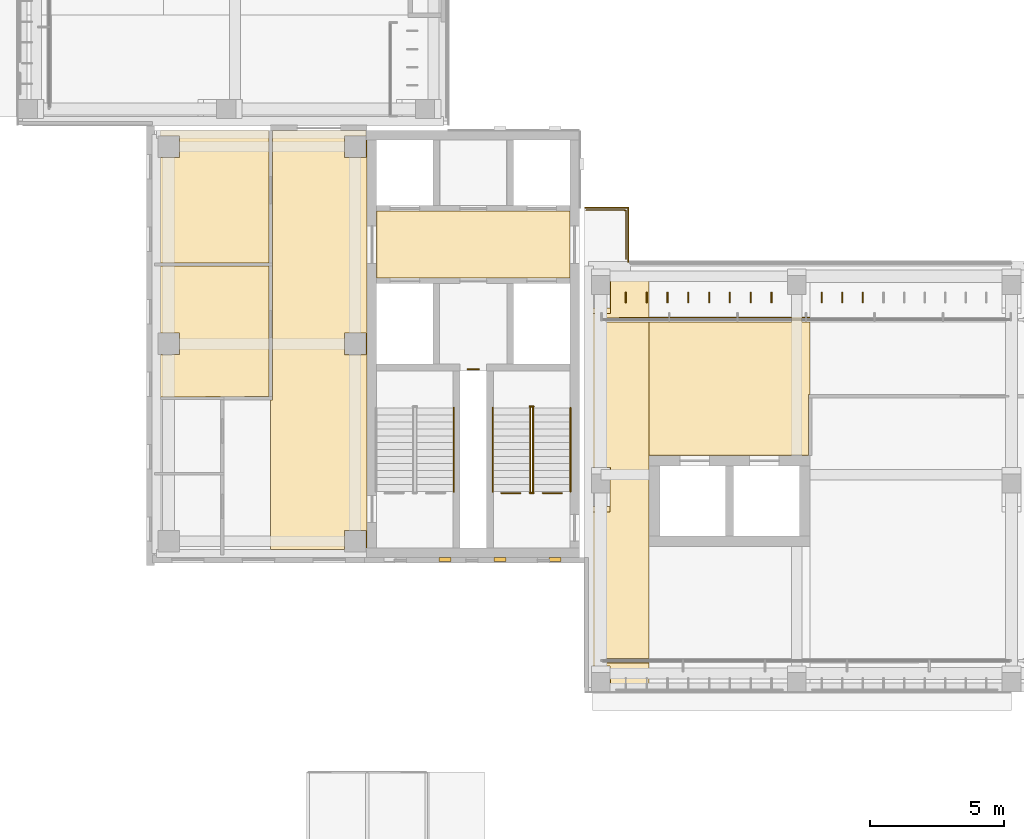
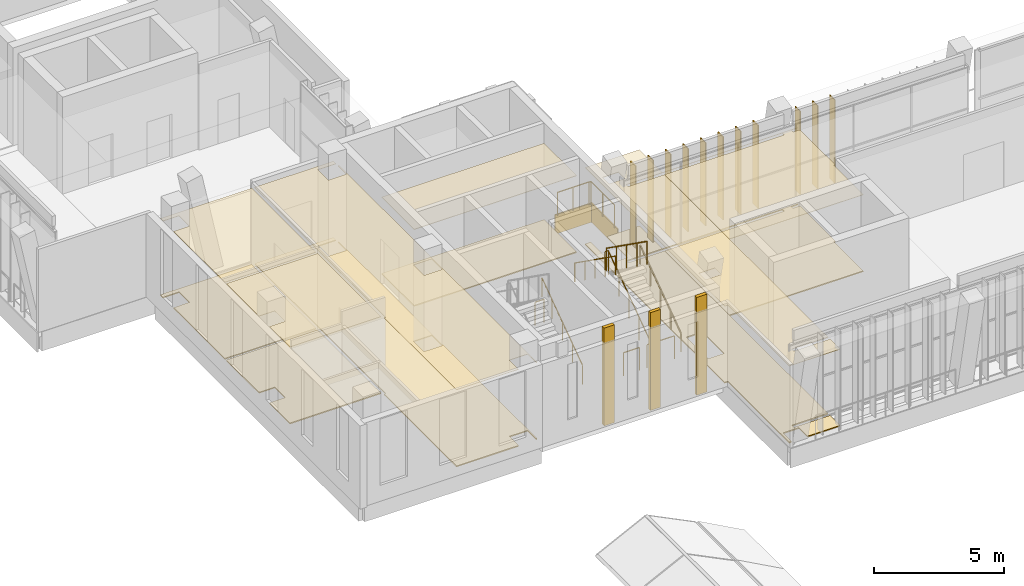
# One storey, part 54 of 73: 17 coverings, 11 railings, 11 shading devices.
"""IFC4 building model written with IfcOpenShell, lengths in metres."""

from ifc_helpers import new_model, si_unit, direction, frame, frame_2d, origin, origin_2d, place, context, subcontext, project, spatial, polyline, rectangle, circle, outline, extrude, material, layer, layer_set, type_object, element, save


model = new_model("IFC4")

# Units and contexts
model_context = context("Model", 3, precision=1e-05, world=origin(), true_north=direction((0.0, 1.0)))
body_context = subcontext(model_context, "Body", "Model", "MODEL_VIEW")
ifc_project = project(units=[si_unit("LENGTHUNIT", "METRE"), si_unit("AREAUNIT", "SQUARE_METRE"), si_unit("VOLUMEUNIT", "CUBIC_METRE"), si_unit("PLANEANGLEUNIT", "RADIAN"), si_unit("MASSUNIT", "GRAM", prefix="KILO")], contexts=[model_context])

# Site, building, storey
site_placement = place(None, origin())
site = spatial("IfcSite", under=ifc_project, at=site_placement, CompositionType="ELEMENT")
building_placement = place(site_placement, origin())
building = spatial("IfcBuilding", under=site, at=building_placement, Name="Lantern Court Media Centre", CompositionType="ELEMENT")
storey_placement = place(building_placement, frame((0.0, 0.0, 24.0)))
storey = spatial("IfcBuildingStorey", under=building, at=storey_placement, Name="L05", CompositionType="ELEMENT", Elevation=24.0)

# Coverings
ifc_material_1 = material(Name="Carpet")
ifc_layer_1 = layer(ifc_material_1, 0.050048828125)
ifc_layer_set_1 = layer_set([ifc_layer_1], Name="Carpet")
covering_type_1 = type_object("IfcCoveringType", Name="Carpet floor finish", PredefinedType="FLOORING", material=ifc_layer_set_1)
covering_1_placement = place(storey_placement, origin())
element("IfcCovering", 1, at=covering_1_placement, inside=storey, type_object=covering_type_1, Name="Community Room 04 floor finish", PredefinedType="FLOORING", context=body_context, shape_type="SweptSolid", body=[
    extrude(outline(polyline([(8.300048828125, 58.85693359375), (12.33251953125, 58.85693359375), (12.33251953125, 53.990478515625), (8.300048828125, 53.97802734375), (8.300048828125, 55.544921875), (9.0048828125, 55.550048828125), (9.00390625, 56.353271484375), (8.300048828125, 56.35498046875), (8.300048828125, 58.85693359375)])), origin(), (0.0, 0.0, 1.0), 0.050048828125),
])
covering_2_placement = place(storey_placement, origin())
element("IfcCovering", 2, at=covering_2_placement, inside=storey, type_object=covering_type_1, Name="Community Room 05 floor finish", PredefinedType="FLOORING", context=body_context, shape_type="SweptSolid", body=[
    extrude(outline(polyline([(8.300048828125, 63.89990234375), (12.33251953125, 63.89990234375), (12.33251953125, 58.967041015625), (8.300048828125, 58.967041015625), (8.300048828125, 62.89501953125), (9.0048828125, 62.89990234375), (9.004150390625, 63.702880859375), (8.300048828125, 63.705078125), (8.300048828125, 63.89990234375)])), origin(), (0.0, 0.0, 1.0), 0.050048828125),
])

# Railings
ifc_material_2 = material(Name="Powder-coated steel", Category="steel")
railing_type_1 = type_object("IfcRailingType", Name="Floor edge guard 1100", PredefinedType="GUARDRAIL", material=ifc_material_2)
for number, where, name in (
    (3, (23.25, 50.390380859375, 0.0), "L05 opening guard 124"),
    (4, (21.70361328125, 50.390380859375, 0.0), "L05 opening guard 125"),
):
    element("IfcRailing", number, at=place(storey_placement, frame(where)), inside=storey, type_object=railing_type_1, Name=name, PredefinedType="GUARDRAIL", context=body_context, shape_type="SweptSolid", body=[
        extrude(circle(Radius=0.02392578125, at=origin_2d()), frame((0.0, 0.0, 1.076171875), z_axis=(-1.0, 0.0, 0.0), x_axis=(0.0, -1.0, 0.0)), (0.0, 0.0, 1.0), 0.70361328125),
        extrude(circle(Radius=0.02099609375, at=origin_2d()), origin(), (0.0, 0.0, 1.0), 1.052001953125),
        extrude(circle(Radius=0.02099609375, at=origin_2d()), frame((-0.70361328125, 0.0, 0.0)), (0.0, 0.0, 1.0), 1.052001953125),
    ])
railing_1_placement = place(storey_placement, frame((20.14990234375, 55.010009765625, 0.0)))
element("IfcRailing", 5, at=railing_1_placement, inside=storey, type_object=railing_type_1, Name="L05 opening guard 126", PredefinedType="GUARDRAIL", context=body_context, shape_type="SweptSolid", body=[
    extrude(circle(Radius=0.02392578125, at=origin_2d()), frame((0.0, 0.0, 1.076171875), z_axis=(-1.0, 0.0, 0.0), x_axis=(0.0, -1.0, 0.0)), (0.0, 0.0, 1.0), 0.39990234375),
    extrude(circle(Radius=0.02099609375, at=origin_2d()), origin(), (0.0, 0.0, 1.0), 1.052001953125),
    extrude(circle(Radius=0.02099609375, at=origin_2d()), frame((-0.39990234375, 0.0, 0.0)), (0.0, 0.0, 1.0), 1.052001953125),
])
railing_2_placement = place(storey_placement, frame((24.159912109375, 60.93994140625, 0.0)))
element("IfcRailing", 6, at=railing_2_placement, inside=storey, type_object=railing_type_1, Name="L05 edge guard 166", PredefinedType="GUARDRAIL", context=body_context, shape_type="SweptSolid", body=[
    extrude(circle(Radius=0.02392578125, at=origin_2d()), frame((0.0, 0.0, 1.076171875), z_axis=(1.0, 0.0, 0.0), x_axis=(0.0, 1.0, 0.0)), (0.0, 0.0, 1.0), 1.400146484375),
    extrude(circle(Radius=0.02392578125, at=origin_2d()), frame((1.400146484375, 0.0, 1.076171875), z_axis=(0.96996776307, -0.243233506336, 0.0), x_axis=(0.243233506336, 0.96996776307, 0.0)), (0.0, 0.0, 1.0), 0.082275390625),
    extrude(circle(Radius=0.02392578125, at=origin_2d()), frame((1.47998046875, -0.02001953125, 1.076171875), z_axis=(0.0, -1.0, 0.0), x_axis=(1.0, 0.0, 0.0)), (0.0, 0.0, 1.0), 1.798828125),
    extrude(circle(Radius=0.02099609375, at=origin_2d()), origin(), (0.0, 0.0, 1.0), 1.052001953125),
    extrude(circle(Radius=0.02099609375, at=origin_2d()), frame((0.7001953125, 0.0, 0.0)), (0.0, 0.0, 1.0), 1.052001953125),
    extrude(circle(Radius=0.02099609375, at=origin_2d()), frame((1.400146484375, 0.0, 0.0)), (0.0, 0.0, 1.0), 1.052001953125),
    extrude(circle(Radius=0.02099609375, at=origin_2d()), frame((1.47998046875, -0.02001953125, 0.0)), (0.0, 0.0, 1.0), 1.052001953125),
    extrude(circle(Radius=0.02099609375, at=origin_2d()), frame((1.47998046875, -0.91943359375, 0.0)), (0.0, 0.0, 1.0), 1.052001953125),
    extrude(circle(Radius=0.02099609375, at=origin_2d()), frame((1.47998046875, -1.81884765625, 0.0)), (0.0, 0.0, 1.0), 1.052001953125),
])

# Coverings
ifc_material_3 = material(Name="White glass-fibre reinforced cement cladding", Category="concrete")
ifc_layer_2 = layer(ifc_material_3, 0.050048828125)
ifc_layer_set_2 = layer_set([ifc_layer_2], Name="White glass-fibre reinforced cement cladding")
covering_type_2 = type_object("IfcCoveringType", Name="Floor-edge band 50", PredefinedType="CLADDING", material=ifc_layer_set_2)
covering_3_placement = place(storey_placement, frame((24.10009765625, 61.02490234375, -0.89990234375), z_axis=(0.0, 0.0, 1.0), x_axis=(1.0, 0.0, 0.0)))
element("IfcCovering", 7, at=covering_3_placement, inside=storey, type_object=covering_type_2, Name="Floor-edge band S inner L05", PredefinedType="CLADDING", context=body_context, shape_type="SweptSolid", body=[
    extrude(rectangle(XDim=1.599853515625, YDim=0.050048828125, at=frame_2d((0.7998046875, 0.0))), origin(), (0.0, 0.0, 1.0), 0.89990234375),
])
covering_4_placement = place(storey_placement, frame((25.72509765625, 59.0, -0.89990234375), z_axis=(0.0, 0.0, 1.0), x_axis=(0.0, 1.0, 0.0)))
element("IfcCovering", 8, at=covering_4_placement, inside=storey, type_object=covering_type_2, Name="Floor-edge band S inner L05", PredefinedType="CLADDING", context=body_context, shape_type="SweptSolid", body=[
    extrude(rectangle(XDim=2.050048828125, YDim=0.050048828125, at=frame_2d((1.02490234375, 0.0))), origin(), (0.0, 0.0, 1.0), 0.89990234375),
])
ifc_material_4 = material(Name="Honed limestone cladding", Category="masonry")
ifc_layer_3 = layer(ifc_material_4, 0.14990234375)
ifc_layer_set_3 = layer_set([ifc_layer_3], Name="Honed limestone cladding")
covering_type_3 = type_object("IfcCoveringType", Name="Limestone pilaster cladding 150", PredefinedType="CLADDING", material=ifc_layer_set_3)
for number, where, z_axis, x_axis, name in (
    (9, (18.675048828125, 47.925048828125, 0.0), (0.0, 0.0, 1.0), (1.0, 0.0, 0.0), "Limestone pilaster rib"),
    (10, (20.72509765625, 47.925048828125, 0.0), (0.0, 0.0, 1.0), (1.0, 0.0, 0.0), "Limestone pilaster rib"),
):
    element("IfcCovering", number, at=place(storey_placement, frame(where, z_axis=z_axis, x_axis=x_axis)), inside=storey, type_object=covering_type_3, Name=name, PredefinedType="CLADDING", context=body_context, shape_type="SweptSolid", body=[
        extrude(rectangle(XDim=0.449951171875, YDim=0.14990234375, at=frame_2d((0.22509765625, 0.0))), origin(), (0.0, 0.0, 1.0), 4.580078125),
    ])
covering_5_placement = place(storey_placement, frame((22.77490234375, 47.925048828125, 0.0), z_axis=(0.0, 0.0, 1.0), x_axis=(1.0, 0.0, 0.0)))
element("IfcCovering", 11, at=covering_5_placement, inside=storey, type_object=covering_type_3, Name="Limestone pilaster rib", PredefinedType="CLADDING", context=body_context, shape_type="SweptSolid", body=[
    extrude(rectangle(XDim=0.4501953125, YDim=0.14990234375, at=frame_2d((0.22509765625, 0.0))), origin(), (0.0, 0.0, 1.0), 4.580078125),
])

# Railings
railing_type_2 = type_object("IfcRailingType", Name="Stair guard 1100", PredefinedType="GUARDRAIL", material=ifc_material_2)
railing_3_placement = place(storey_placement, frame((22.176025390625, 50.449951171875, 0.1845703125)))
element("IfcRailing", 12, at=railing_3_placement, inside=storey, type_object=railing_type_2, Name="L05 ST-SWB stair guard 1", PredefinedType="GUARDRAIL", context=body_context, shape_type="SweptSolid", body=[
    extrude(circle(Radius=0.02392578125, at=origin_2d()), frame((0.0, 0.0, 1.076171875), z_axis=(0.0, 0.815376961211, 0.578930402662), x_axis=(-1.0, 0.0, 0.0)), (0.0, 0.0, 1.0), 3.82666015625),
    extrude(circle(Radius=0.02099609375, at=origin_2d()), origin(), (0.0, 0.0, 1.0), 1.052001953125),
    extrude(circle(Radius=0.02099609375, at=origin_2d()), frame((0.0, 0.780029296875, 0.5537109375)), (0.0, 0.0, 1.0), 1.052001953125),
    extrude(circle(Radius=0.02099609375, at=origin_2d()), frame((0.0, 1.56005859375, 1.107666015625)), (0.0, 0.0, 1.0), 1.052001953125),
    extrude(circle(Radius=0.02099609375, at=origin_2d()), frame((0.0, 2.340087890625, 1.66162109375)), (0.0, 0.0, 1.0), 1.052001953125),
    extrude(circle(Radius=0.02099609375, at=origin_2d()), frame((0.0, 3.1201171875, 2.21533203125)), (0.0, 0.0, 1.0), 1.052001953125),
])
railing_4_placement = place(storey_placement, frame((22.199951171875, 53.6201171875, 2.39990234375)))
element("IfcRailing", 13, at=railing_4_placement, inside=storey, type_object=railing_type_2, Name="L05 ST-SWB stair guard 2", PredefinedType="GUARDRAIL", context=body_context, shape_type="SweptSolid", body=[
    extrude(circle(Radius=0.02392578125, at=origin_2d()), frame((0.0, 0.0, 1.076171875), z_axis=(-1.0, 0.0, 0.0), x_axis=(0.0, -1.0, 0.0)), (0.0, 0.0, 1.0), 0.14990234375),
    extrude(circle(Radius=0.02099609375, at=origin_2d()), origin(), (0.0, 0.0, 1.0), 1.052001953125),
    extrude(circle(Radius=0.02099609375, at=origin_2d()), frame((-0.14990234375, 0.0, 0.0)), (0.0, 0.0, 1.0), 1.052001953125),
])
railing_5_placement = place(storey_placement, frame((22.073974609375, 53.570068359375, 2.584716796875)))
element("IfcRailing", 14, at=railing_5_placement, inside=storey, type_object=railing_type_2, Name="L05 ST-SWB stair guard 3", PredefinedType="GUARDRAIL", context=body_context, shape_type="SweptSolid", body=[
    extrude(circle(Radius=0.02392578125, at=origin_2d()), frame((0.0, 0.0, 1.076171875), z_axis=(0.0, -0.815376961211, 0.578930402662), x_axis=(1.0, 0.0, 0.0)), (0.0, 0.0, 1.0), 3.82666015625),
    extrude(circle(Radius=0.02099609375, at=origin_2d()), origin(), (0.0, 0.0, 1.0), 1.052001953125),
    extrude(circle(Radius=0.02099609375, at=origin_2d()), frame((0.0, -0.780029296875, 0.5537109375)), (0.0, 0.0, 1.0), 1.052001953125),
    extrude(circle(Radius=0.02099609375, at=origin_2d()), frame((0.0, -1.56005859375, 1.107666015625)), (0.0, 0.0, 1.0), 1.052001953125),
    extrude(circle(Radius=0.02099609375, at=origin_2d()), frame((0.0, -2.340087890625, 1.66162109375)), (0.0, 0.0, 1.0), 1.052001953125),
    extrude(circle(Radius=0.02099609375, at=origin_2d()), frame((0.0, -3.1201171875, 2.21533203125)), (0.0, 0.0, 1.0), 1.052001953125),
])
railing_6_placement = place(storey_placement, frame((22.199951171875, 50.39990234375, 0.0)))
element("IfcRailing", 15, at=railing_6_placement, inside=storey, type_object=railing_type_2, Name="L05 ST-SWB stair guard 4", PredefinedType="GUARDRAIL", context=body_context, shape_type="SweptSolid", body=[
    extrude(circle(Radius=0.02392578125, at=origin_2d()), frame((0.0, 0.0, 1.076171875), z_axis=(-1.0, 0.0, 0.0), x_axis=(0.0, -1.0, 0.0)), (0.0, 0.0, 1.0), 0.14990234375),
    extrude(circle(Radius=0.02099609375, at=origin_2d()), origin(), (0.0, 0.0, 1.0), 1.052001953125),
    extrude(circle(Radius=0.02099609375, at=origin_2d()), frame((-0.14990234375, 0.0, 0.0)), (0.0, 0.0, 1.0), 1.052001953125),
])
railing_type_3 = type_object("IfcRailingType", Name="Stair handrail 900", PredefinedType="HANDRAIL", material=ifc_material_2)
for number, where, name in (
    (16, (19.22412109375, 50.449951171875, 0.1845703125), "L05 ST-SWA stair handrail 1"),
    (17, (23.573974609375, 50.449951171875, 0.1845703125), "L05 ST-SWB stair handrail 1"),
):
    element("IfcRailing", number, at=place(storey_placement, frame(where)), inside=storey, type_object=railing_type_3, Name=name, PredefinedType="HANDRAIL", context=body_context, shape_type="SweptSolid", body=[
        extrude(circle(Radius=0.02392578125, at=origin_2d()), frame((0.0, 0.0, 0.8759765625), z_axis=(0.0, 0.815376961211, 0.578930402662), x_axis=(-1.0, 0.0, 0.0)), (0.0, 0.0, 1.0), 3.82666015625),
        extrude(circle(Radius=0.02099609375, at=origin_2d()), origin(), (0.0, 0.0, 1.0), 0.851806640625),
        extrude(circle(Radius=0.02099609375, at=origin_2d()), frame((0.0, 0.780029296875, 0.5537109375)), (0.0, 0.0, 1.0), 0.851806640625),
        extrude(circle(Radius=0.02099609375, at=origin_2d()), frame((0.0, 1.56005859375, 1.107666015625)), (0.0, 0.0, 1.0), 0.851806640625),
        extrude(circle(Radius=0.02099609375, at=origin_2d()), frame((0.0, 2.340087890625, 1.66162109375)), (0.0, 0.0, 1.0), 0.851806640625),
        extrude(circle(Radius=0.02099609375, at=origin_2d()), frame((0.0, 3.1201171875, 2.21533203125)), (0.0, 0.0, 1.0), 0.851806640625),
    ])
railing_7_placement = place(storey_placement, frame((20.676025390625, 53.570068359375, 2.584716796875)))
element("IfcRailing", 18, at=railing_7_placement, inside=storey, type_object=railing_type_3, Name="L05 ST-SWB stair handrail 2", PredefinedType="HANDRAIL", context=body_context, shape_type="SweptSolid", body=[
    extrude(circle(Radius=0.02392578125, at=origin_2d()), frame((0.0, 0.0, 0.8759765625), z_axis=(0.0, -0.815376961211, 0.578930402662), x_axis=(1.0, 0.0, 0.0)), (0.0, 0.0, 1.0), 3.82666015625),
    extrude(circle(Radius=0.02099609375, at=origin_2d()), origin(), (0.0, 0.0, 1.0), 0.851806640625),
    extrude(circle(Radius=0.02099609375, at=origin_2d()), frame((0.0, -0.780029296875, 0.5537109375)), (0.0, 0.0, 1.0), 0.851806640625),
    extrude(circle(Radius=0.02099609375, at=origin_2d()), frame((0.0, -1.56005859375, 1.107666015625)), (0.0, 0.0, 1.0), 0.851806640625),
    extrude(circle(Radius=0.02099609375, at=origin_2d()), frame((0.0, -2.340087890625, 1.66162109375)), (0.0, 0.0, 1.0), 0.851806640625),
    extrude(circle(Radius=0.02099609375, at=origin_2d()), frame((0.0, -3.1201171875, 2.21533203125)), (0.0, 0.0, 1.0), 0.851806640625),
])

# Coverings
ifc_material_5 = material(Name="Mineral fibre ceiling tile")
ifc_layer_4 = layer(ifc_material_5, 0.02001953125)
ifc_layer_set_4 = layer_set([ifc_layer_4], Name="Mineral fibre ceiling tile")
covering_type_4 = type_object("IfcCoveringType", Name="Suspended ceiling tile", PredefinedType="CEILING", material=ifc_layer_set_4)
covering_6_placement = place(storey_placement, frame((0.0, 0.0, 3.60009765625)))
element("IfcCovering", 19, at=covering_6_placement, inside=storey, type_object=covering_type_4, Name="End Lobby ceiling", PredefinedType="CEILING", context=body_context, shape_type="SweptSolid", body=[
    extrude(outline(polyline([(26.5, 43.300048828125), (24.240478515625, 43.300048828125), (24.240478515625, 48.0), (24.10009765625, 48.00048828125), (24.10009765625, 58.699951171875), (26.5, 58.699951171875), (26.5, 56.925537109375), (24.8994140625, 56.925048828125), (24.89990234375, 56.7744140625), (26.5, 56.7744140625), (26.5, 44.2255859375), (24.8994140625, 44.22509765625), (24.89990234375, 44.074462890625), (26.5, 44.074462890625), (26.5, 43.300048828125)]), holes=[polyline([(25.050537109375, 50.395751953125), (24.349609375, 50.396240234375), (24.349609375, 49.897705078125), (25.05029296875, 49.8974609375), (25.050537109375, 50.395751953125)]), polyline([(25.050048828125, 57.29736328125), (25.05029296875, 57.796142578125), (24.349609375, 57.796142578125), (24.349609375, 57.29736328125), (25.050048828125, 57.29736328125)])]), origin(), (0.0, 0.0, 1.0), 0.02001953125),
])
covering_7_placement = place(storey_placement, frame((0.0, 0.0, 3.60009765625)))
element("IfcCovering", 20, at=covering_7_placement, inside=storey, type_object=covering_type_4, Name="Lift Lobby ceiling", PredefinedType="CEILING", context=body_context, shape_type="SweptSolid", body=[
    extrude(outline(polyline([(32.5, 54.06298828125), (32.43701171875, 54.0625), (32.43701171875, 51.800537109375), (26.5, 51.800537109375), (26.5, 56.7744140625), (31.800537109375, 56.77490234375), (31.800048828125, 56.925537109375), (26.5, 56.925537109375), (26.5, 56.949951171875), (32.5, 56.949951171875), (32.5, 56.925537109375), (32.199462890625, 56.925048828125), (32.19970703125, 56.774658203125), (32.5, 56.7744140625), (32.5, 54.06298828125)])), origin(), (0.0, 0.0, 1.0), 0.02001953125),
])
covering_8_placement = place(storey_placement, frame((0.0, 0.0, 3.60009765625)))
element("IfcCovering", 21, at=covering_8_placement, inside=storey, type_object=covering_type_4, Name="Lift Lobby ceiling", PredefinedType="CEILING", context=body_context, shape_type="SweptSolid", body=[
    extrude(outline(polyline([(16.3505859375, 60.8994140625), (23.549560546875, 60.8994140625), (23.549560546875, 58.400390625), (16.3505859375, 58.400390625), (16.3505859375, 60.8994140625)])), origin(), (0.0, 0.0, 1.0), 0.02001953125),
])
covering_9_placement = place(storey_placement, frame((0.0, 0.0, 3.60009765625)))
element("IfcCovering", 22, at=covering_9_placement, inside=storey, type_object=covering_type_4, Name="Corridor ceiling", PredefinedType="CEILING", context=body_context, shape_type="SweptSolid", body=[
    extrude(outline(polyline([(12.39990234375, 48.300048828125), (12.39990234375, 53.860107421875), (12.462890625, 53.860595703125), (12.462890625, 63.8994140625), (15.949462890625, 63.8994140625), (15.949462890625, 63.700439453125), (15.149658203125, 63.700439453125), (15.1494140625, 62.89990234375), (15.950439453125, 62.899658203125), (15.950439453125, 63.549560546875), (15.99951171875, 63.549560546875), (15.99951171875, 48.3505859375), (15.950439453125, 48.3505859375), (15.950439453125, 49.00048828125), (15.14990234375, 49.00048828125), (15.1494140625, 48.300048828125), (12.39990234375, 48.300048828125)]), holes=[polyline([(15.950439453125, 56.35009765625), (15.149658203125, 56.350341796875), (15.149658203125, 55.549560546875), (15.950439453125, 55.549560546875), (15.950439453125, 56.35009765625)])]), origin(), (0.0, 0.0, 1.0), 0.02001953125),
])
covering_10_placement = place(storey_placement, frame((0.0, 0.0, 3.60009765625)))
element("IfcCovering", 23, at=covering_10_placement, inside=storey, type_object=covering_type_4, Name="Community Room 04 ceiling", PredefinedType="CEILING", context=body_context, shape_type="SweptSolid", body=[
    extrude(outline(polyline([(8.300048828125, 58.861572265625), (12.3369140625, 58.861572265625), (12.3369140625, 53.986083984375), (8.300048828125, 53.973388671875), (8.300048828125, 55.549560546875), (9.00048828125, 55.550048828125), (9.00048828125, 56.350341796875), (8.300048828125, 56.3505859375), (8.300048828125, 58.861572265625)])), origin(), (0.0, 0.0, 1.0), 0.02001953125),
])
covering_11_placement = place(storey_placement, frame((0.0, 0.0, 3.60009765625)))
element("IfcCovering", 24, at=covering_11_placement, inside=storey, type_object=covering_type_4, Name="Community Room 05 ceiling", PredefinedType="CEILING", context=body_context, shape_type="SweptSolid", body=[
    extrude(outline(polyline([(8.300048828125, 63.89990234375), (12.3369140625, 63.89990234375), (12.3369140625, 58.96240234375), (8.300048828125, 58.96240234375), (8.300048828125, 62.8994140625), (9.00048828125, 62.89990234375), (9.00048828125, 63.7001953125), (8.300048828125, 63.700439453125), (8.300048828125, 63.89990234375)])), origin(), (0.0, 0.0, 1.0), 0.02001953125),
])
ifc_material_6 = material(Name="Terrazzo")
ifc_layer_5 = layer(ifc_material_6, 0.050048828125)
ifc_layer_set_5 = layer_set([ifc_layer_5], Name="Terrazzo")
covering_type_5 = type_object("IfcCoveringType", Name="Terrazzo floor finish", PredefinedType="FLOORING", material=ifc_layer_set_5)
covering_12_placement = place(storey_placement, origin())
element("IfcCovering", 25, at=covering_12_placement, inside=storey, type_object=covering_type_5, Name="End Lobby floor finish", PredefinedType="FLOORING", context=body_context, shape_type="SweptSolid", body=[
    extrude(outline(polyline([(26.5, 43.300048828125), (25.054931640625, 43.300048828125), (25.050048828125, 43.955078125), (24.346923828125, 43.953857421875), (24.344970703125, 43.300048828125), (24.2451171875, 43.300048828125), (24.2451171875, 48.0), (24.10009765625, 48.0048828125), (24.10009765625, 58.699951171875), (24.344970703125, 58.699951171875), (24.35009765625, 57.0908203125), (25.0546875, 57.093994140625), (25.054931640625, 58.699951171875), (26.5, 58.699951171875), (26.5, 56.929931640625), (24.89501953125, 56.925048828125), (24.8994140625, 56.77001953125), (26.5, 56.77001953125), (26.5, 44.22998046875), (24.89501953125, 44.22509765625), (24.8994140625, 44.070068359375), (26.5, 44.070068359375), (26.5, 43.300048828125)]), holes=[polyline([(25.050048828125, 49.69091796875), (25.0546875, 51.351806640625), (24.34814453125, 51.354736328125), (24.345458984375, 49.69384765625), (25.050048828125, 49.69091796875)])]), origin(), (0.0, 0.0, 1.0), 0.050048828125),
])
covering_13_placement = place(storey_placement, origin())
element("IfcCovering", 26, at=covering_13_placement, inside=storey, type_object=covering_type_5, Name="Lift Lobby floor finish", PredefinedType="FLOORING", context=body_context, shape_type="SweptSolid", body=[
    extrude(outline(polyline([(32.5, 54.0673828125), (32.4326171875, 54.0625), (32.4326171875, 51.804931640625), (26.5, 51.804931640625), (26.5, 56.77001953125), (31.804931640625, 56.77490234375), (31.800048828125, 56.929931640625), (26.5, 56.929931640625), (26.5, 56.949951171875), (32.5, 56.949951171875), (32.5, 56.929931640625), (32.195068359375, 56.925048828125), (32.19775390625, 56.7705078125), (32.5, 56.77001953125), (32.5, 54.0673828125)])), origin(), (0.0, 0.0, 1.0), 0.050048828125),
])
covering_14_placement = place(storey_placement, origin())
element("IfcCovering", 27, at=covering_14_placement, inside=storey, type_object=covering_type_5, Name="Lift Lobby floor finish", PredefinedType="FLOORING", context=body_context, shape_type="SweptSolid", body=[
    extrude(outline(polyline([(16.35498046875, 60.89501953125), (23.544921875, 60.89501953125), (23.544921875, 58.405029296875), (16.35498046875, 58.405029296875), (16.35498046875, 60.89501953125)])), origin(), (0.0, 0.0, 1.0), 0.050048828125),
])
covering_15_placement = place(storey_placement, origin())
element("IfcCovering", 28, at=covering_15_placement, inside=storey, type_object=covering_type_5, Name="Corridor floor finish", PredefinedType="FLOORING", context=body_context, shape_type="SweptSolid", body=[
    extrude(outline(polyline([(12.39990234375, 48.300048828125), (12.39990234375, 53.85546875), (12.467529296875, 53.860595703125), (12.467529296875, 63.89501953125), (15.945068359375, 63.89501953125), (15.945068359375, 63.705078125), (15.146240234375, 63.703125), (15.14501953125, 62.89990234375), (15.953125, 62.896240234375), (15.955078125, 63.544921875), (15.9951171875, 63.544921875), (15.9951171875, 48.35498046875), (15.955078125, 48.35498046875), (15.953125, 49.00390625), (15.14990234375, 49.0048828125), (15.14501953125, 48.300048828125), (12.39990234375, 48.300048828125)]), holes=[polyline([(15.949951171875, 55.544921875), (15.95361328125, 56.353515625), (15.146484375, 56.353515625), (15.146484375, 55.54638671875), (15.949951171875, 55.544921875)])]), origin(), (0.0, 0.0, 1.0), 0.050048828125),
])

# Shading devices
ifc_material_7 = material(Name="Bronze anodised aluminium louvre", Category="aluminium")
ifc_layer_6 = layer(ifc_material_7, 0.0400390625)
ifc_layer_set_6 = layer_set([ifc_layer_6], Name="Bronze anodised aluminium louvre")
shading_device_type = type_object("IfcShadingDeviceType", Name="Vertical louvre 40x400 under beam", PredefinedType="USERDEFINED", material=ifc_layer_set_6)
for number, where, z_axis, x_axis, name in (
    (29, (25.637451171875, 57.679931640625, 0.0), (0.0, 0.0, 1.0), (1.0, 0.0, 0.0), "Vertical louvre S inner L05"),
    (30, (26.41259765625, 57.679931640625, 0.0), (0.0, 0.0, 1.0), (1.0, 0.0, 0.0), "Vertical louvre S inner L05"),
    (31, (27.1875, 57.679931640625, 0.0), (0.0, 0.0, 1.0), (1.0, 0.0, 0.0), "Vertical louvre S inner L05"),
    (32, (27.96240234375, 57.679931640625, 0.0), (0.0, 0.0, 1.0), (1.0, 0.0, 0.0), "Vertical louvre S inner L05"),
    (33, (28.737548828125, 57.679931640625, 0.0), (0.0, 0.0, 1.0), (1.0, 0.0, 0.0), "Vertical louvre S inner L05"),
    (34, (29.512451171875, 57.679931640625, 0.0), (0.0, 0.0, 1.0), (1.0, 0.0, 0.0), "Vertical louvre S inner L05"),
    (35, (30.28759765625, 57.679931640625, 0.0), (0.0, 0.0, 1.0), (1.0, 0.0, 0.0), "Vertical louvre S inner L05"),
    (36, (31.0625, 57.679931640625, 0.0), (0.0, 0.0, 1.0), (1.0, 0.0, 0.0), "Vertical louvre S inner L05"),
    (37, (32.933349609375, 57.679931640625, 0.0), (0.0, 0.0, 1.0), (1.0, 0.0, 0.0), "Vertical louvre S inner L05"),
    (38, (33.699951171875, 57.679931640625, 0.0), (0.0, 0.0, 1.0), (1.0, 0.0, 0.0), "Vertical louvre S inner L05"),
    (39, (34.466552734375, 57.679931640625, 0.0), (0.0, 0.0, 1.0), (1.0, 0.0, 0.0), "Vertical louvre S inner L05"),
):
    element("IfcShadingDevice", number, at=place(storey_placement, frame(where, z_axis=z_axis, x_axis=x_axis)), inside=storey, type_object=shading_device_type, Name=name, ObjectType="VERTICAL LOUVRE", PredefinedType="USERDEFINED", context=body_context, shape_type="SweptSolid", body=[
        extrude(rectangle(XDim=0.0400390625, YDim=0.39990234375, at=origin_2d()), origin(), (0.0, 0.0, 1.0), 3.89990234375),
    ])

save(model, "model.ifc")
